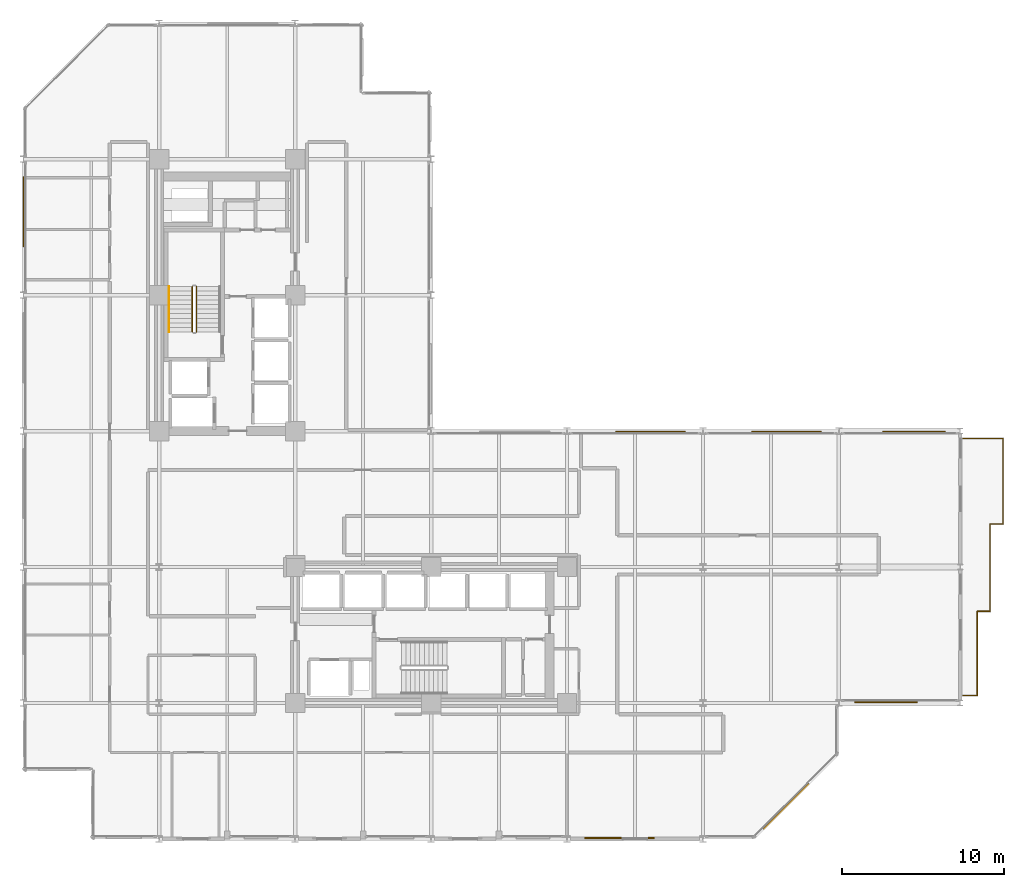
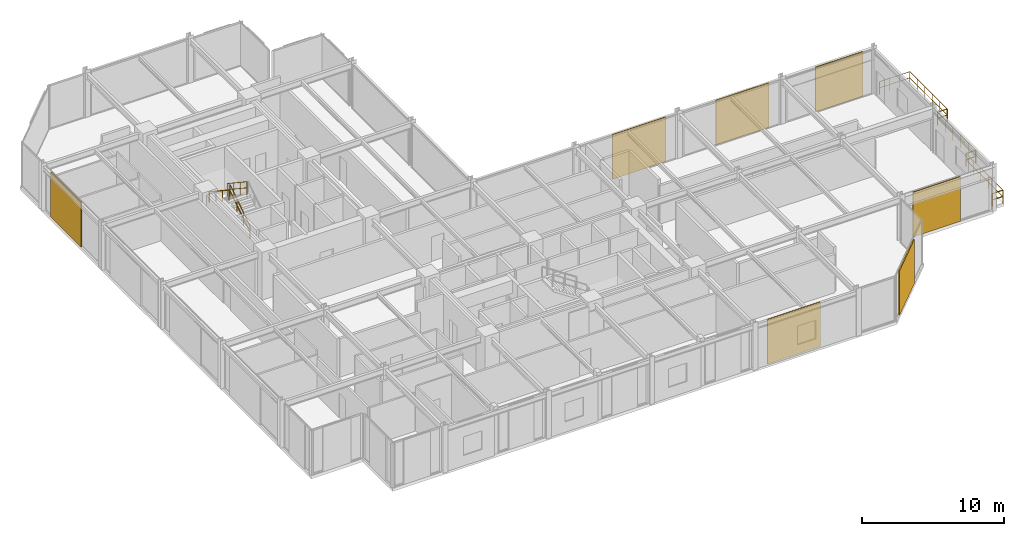
# One storey, part 37 of 38: 10 railings, 7 coverings.
"""IFC4 building model written with IfcOpenShell, lengths in metres."""

from ifc_helpers import new_model, si_unit, direction, frame, origin, origin_2d, place, context, subcontext, project, spatial, rectangle, circle, extrude, material, layer, layer_set, type_object, element, save


model = new_model("IFC4")

# Units and contexts
model_context = context("Model", 3, precision=1e-05, world=origin(), true_north=direction((0.0, 1.0)))
body_context = subcontext(model_context, "Body", "Model", "MODEL_VIEW")
ifc_project = project(units=[si_unit("LENGTHUNIT", "METRE"), si_unit("AREAUNIT", "SQUARE_METRE"), si_unit("VOLUMEUNIT", "CUBIC_METRE"), si_unit("PLANEANGLEUNIT", "RADIAN"), si_unit("MASSUNIT", "GRAM", prefix="KILO")], contexts=[model_context])

# Site, building, storey
site_placement = place(None, origin())
site = spatial("IfcSite", under=ifc_project, at=site_placement, CompositionType="ELEMENT")
building_placement = place(site_placement, origin())
building = spatial("IfcBuilding", under=site, at=building_placement, Name="Nerrivon Quay Data Exchange", CompositionType="ELEMENT")
storey_placement = place(building_placement, frame((0.0, 0.0, 96.699951171875)))
storey = spatial("IfcBuildingStorey", under=building, at=storey_placement, Name="L22", CompositionType="ELEMENT", Elevation=96.699951171875)

# Coverings
ifc_material_1 = material(Name="Architectural terracotta ceramic", Category="masonry")
ifc_layer = layer(ifc_material_1, 0.090087890625)
ifc_layer_set = layer_set([ifc_layer], Name="Architectural terracotta ceramic")
covering_type = type_object("IfcCoveringType", Name="COV-SCR-TERR", PredefinedType="CLADDING", material=ifc_layer_set)
covering_1_placement = place(storey_placement, frame((53.31494140625, 8.445068359375, 0.0), z_axis=(0.0, 0.0, 1.0), x_axis=(-1.0, 0.0, 0.0)))
element("IfcCovering", 1, at=covering_1_placement, inside=storey, type_object=covering_type, Name="L22 Perforated Terracotta SOLAR SCREEN Cassette", PredefinedType="CLADDING", context=body_context, shape_type="SweptSolid", body=[
    extrude(rectangle(XDim=3.85791015625, YDim=0.090087890625, at=origin_2d()), origin(), (0.0, 0.0, 1.0), 3.824951171875),
])
covering_2_placement = place(storey_placement, frame((47.144287109375, 2.0078125, 0.0), z_axis=(0.0, 0.0, 1.0), x_axis=(-0.707106781187, -0.707106781187, 0.0)))
element("IfcCovering", 2, at=covering_2_placement, inside=storey, type_object=covering_type, Name="L22 Perforated Terracotta SOLAR SCREEN Cassette", PredefinedType="CLADDING", context=body_context, shape_type="SweptSolid", body=[
    extrude(rectangle(XDim=3.970947265625, YDim=0.090087890625, at=origin_2d()), origin(), (0.0, 0.0, 1.0), 3.824951171875),
])
for number, where, z_axis, x_axis, name in (
    (3, (36.840087890625, 0.044921875, 0.0), (0.0, 0.0, 1.0), (-1.0, 0.0, 0.0), "L22 Perforated Terracotta SOLAR SCREEN Cassette"),
    (4, (0.044921875, 38.760009765625, 0.0), (0.0, 0.0, 1.0), (0.0, 1.0, 0.0), "L22 Perforated Terracotta SOLAR SCREEN Cassette"),
    (5, (38.760009765625, 25.155029296875, 0.0), (0.0, 0.0, 1.0), (1.0, 0.0, 0.0), "L22 Perforated Terracotta SOLAR SCREEN Cassette"),
    (6, (47.159912109375, 25.155029296875, 0.0), (0.0, 0.0, 1.0), (1.0, 0.0, 0.0), "L22 Perforated Terracotta SOLAR SCREEN Cassette"),
):
    element("IfcCovering", number, at=place(storey_placement, frame(where, z_axis=z_axis, x_axis=x_axis)), inside=storey, type_object=covering_type, Name=name, PredefinedType="CLADDING", context=body_context, shape_type="SweptSolid", body=[
        extrude(rectangle(XDim=4.320068359375, YDim=0.090087890625, at=origin_2d()), origin(), (0.0, 0.0, 1.0), 3.824951171875),
    ])
covering_3_placement = place(storey_placement, frame((55.029541015625, 25.155029296875, 0.0), z_axis=(0.0, 0.0, 1.0), x_axis=(1.0, 0.0, 0.0)))
element("IfcCovering", 7, at=covering_3_placement, inside=storey, type_object=covering_type, Name="L22 Perforated Terracotta SOLAR SCREEN Cassette", PredefinedType="CLADDING", context=body_context, shape_type="SweptSolid", body=[
    extrude(rectangle(XDim=3.85791015625, YDim=0.090087890625, at=origin_2d()), origin(), (0.0, 0.0, 1.0), 3.824951171875),
])

# Railings
ifc_material_2 = material(Name="Steel Grade C350L0 (350 MPa)", Category="steel")
railing_type_1 = type_object("IfcRailingType", Name="RAIL-GUARD-GR2", PredefinedType="BALUSTRADE", material=ifc_material_2)
railing_1_placement = place(storey_placement, frame((58.93994140625, 14.06005859375, 0.0)))
element("IfcRailing", 8, at=railing_1_placement, inside=storey, type_object=railing_type_1, Name="L22 Verandah Balcony Guard 1.1 1", PredefinedType="BALUSTRADE", context=body_context, shape_type="SweptSolid", body=[
    extrude(circle(Radius=0.02392578125, at=origin_2d()), frame((0.0, 0.0, 1.09619140625), z_axis=(0.0, -1.0, 0.0), x_axis=(1.0, 0.0, 0.0)), (0.0, 0.0, 1.0), 5.199951171875),
    extrude(circle(Radius=0.02392578125, at=origin_2d()), frame((0.0, 0.0, 0.56005859375), z_axis=(0.0, -1.0, 0.0), x_axis=(1.0, 0.0, 0.0)), (0.0, 0.0, 1.0), 5.199951171875),
    extrude(circle(Radius=0.02099609375, at=origin_2d()), origin(), (0.0, 0.0, 1.0), 1.072021484375),
    extrude(circle(Radius=0.02099609375, at=origin_2d()), frame((0.0, -1.0400390625, 0.0)), (0.0, 0.0, 1.0), 1.072021484375),
    extrude(circle(Radius=0.02099609375, at=origin_2d()), frame((0.0, -2.080078125, 0.0)), (0.0, 0.0, 1.0), 1.072021484375),
    extrude(circle(Radius=0.02099609375, at=origin_2d()), frame((0.0, -3.119873046875, 0.0)), (0.0, 0.0, 1.0), 1.072021484375),
    extrude(circle(Radius=0.02099609375, at=origin_2d()), frame((0.0, -4.159912109375, 0.0)), (0.0, 0.0, 1.0), 1.072021484375),
    extrude(circle(Radius=0.02099609375, at=origin_2d()), frame((0.0, -5.199951171875, 0.0)), (0.0, 0.0, 1.0), 1.072021484375),
])
railing_2_placement = place(storey_placement, frame((58.93994140625, 8.860107421875, 0.0)))
element("IfcRailing", 9, at=railing_2_placement, inside=storey, type_object=railing_type_1, Name="L22 Verandah Balcony Guard 1.2 1", PredefinedType="BALUSTRADE", context=body_context, shape_type="SweptSolid", body=[
    extrude(circle(Radius=0.02392578125, at=origin_2d()), frame((0.0, 0.0, 1.09619140625), z_axis=(-1.0, 0.0, 0.0), x_axis=(0.0, -1.0, 0.0)), (0.0, 0.0, 1.0), 0.85986328125),
    extrude(circle(Radius=0.02392578125, at=origin_2d()), frame((0.0, 0.0, 0.56005859375), z_axis=(-1.0, 0.0, 0.0), x_axis=(0.0, -1.0, 0.0)), (0.0, 0.0, 1.0), 0.85986328125),
    extrude(circle(Radius=0.02099609375, at=origin_2d()), origin(), (0.0, 0.0, 1.0), 1.072021484375),
    extrude(circle(Radius=0.02099609375, at=origin_2d()), frame((-0.85986328125, 0.0, 0.0)), (0.0, 0.0, 1.0), 1.072021484375),
])
railing_3_placement = place(storey_placement, frame((58.080078125, 24.739990234375, 0.0)))
element("IfcRailing", 10, at=railing_3_placement, inside=storey, type_object=railing_type_1, Name="L22 Verandah Balcony Guard 1.3 1", PredefinedType="BALUSTRADE", context=body_context, shape_type="SweptSolid", body=[
    extrude(circle(Radius=0.02392578125, at=origin_2d()), frame((0.0, 0.0, 1.09619140625), z_axis=(1.0, 0.0, 0.0), x_axis=(0.0, 1.0, 0.0)), (0.0, 0.0, 1.0), 2.4599609375),
    extrude(circle(Radius=0.02392578125, at=origin_2d()), frame((0.0, 0.0, 0.56005859375), z_axis=(1.0, 0.0, 0.0), x_axis=(0.0, 1.0, 0.0)), (0.0, 0.0, 1.0), 2.4599609375),
    extrude(circle(Radius=0.02099609375, at=origin_2d()), origin(), (0.0, 0.0, 1.0), 1.072021484375),
    extrude(circle(Radius=0.02099609375, at=origin_2d()), frame((0.820068359375, 0.0, 0.0)), (0.0, 0.0, 1.0), 1.072021484375),
    extrude(circle(Radius=0.02099609375, at=origin_2d()), frame((1.639892578125, 0.0, 0.0)), (0.0, 0.0, 1.0), 1.072021484375),
    extrude(circle(Radius=0.02099609375, at=origin_2d()), frame((2.4599609375, 0.0, 0.0)), (0.0, 0.0, 1.0), 1.072021484375),
])
railing_4_placement = place(storey_placement, frame((60.5400390625, 24.739990234375, 0.0)))
element("IfcRailing", 11, at=railing_4_placement, inside=storey, type_object=railing_type_1, Name="L22 Verandah Balcony Guard 1.4 1", PredefinedType="BALUSTRADE", context=body_context, shape_type="SweptSolid", body=[
    extrude(circle(Radius=0.02392578125, at=origin_2d()), frame((0.0, 0.0, 1.09619140625), z_axis=(0.0, -1.0, 0.0), x_axis=(1.0, 0.0, 0.0)), (0.0, 0.0, 1.0), 5.280029296875),
    extrude(circle(Radius=0.02392578125, at=origin_2d()), frame((0.0, 0.0, 0.56005859375), z_axis=(0.0, -1.0, 0.0), x_axis=(1.0, 0.0, 0.0)), (0.0, 0.0, 1.0), 5.280029296875),
    extrude(circle(Radius=0.02099609375, at=origin_2d()), origin(), (0.0, 0.0, 1.0), 1.072021484375),
    extrude(circle(Radius=0.02099609375, at=origin_2d()), frame((0.0, -1.055908203125, 0.0)), (0.0, 0.0, 1.0), 1.072021484375),
    extrude(circle(Radius=0.02099609375, at=origin_2d()), frame((0.0, -2.112060546875, 0.0)), (0.0, 0.0, 1.0), 1.072021484375),
    extrude(circle(Radius=0.02099609375, at=origin_2d()), frame((0.0, -3.16796875, 0.0)), (0.0, 0.0, 1.0), 1.072021484375),
    extrude(circle(Radius=0.02099609375, at=origin_2d()), frame((0.0, -4.22412109375, 0.0)), (0.0, 0.0, 1.0), 1.072021484375),
    extrude(circle(Radius=0.02099609375, at=origin_2d()), frame((0.0, -5.280029296875, 0.0)), (0.0, 0.0, 1.0), 1.072021484375),
])
railing_5_placement = place(storey_placement, frame((60.5400390625, 19.4599609375, 0.0)))
element("IfcRailing", 12, at=railing_5_placement, inside=storey, type_object=railing_type_1, Name="L22 Verandah Balcony Guard 1.5 1", PredefinedType="BALUSTRADE", context=body_context, shape_type="SweptSolid", body=[
    extrude(circle(Radius=0.02392578125, at=origin_2d()), frame((0.0, 0.0, 1.09619140625), z_axis=(-1.0, 0.0, 0.0), x_axis=(0.0, -1.0, 0.0)), (0.0, 0.0, 1.0), 0.800048828125),
    extrude(circle(Radius=0.02392578125, at=origin_2d()), frame((0.0, 0.0, 0.56005859375), z_axis=(-1.0, 0.0, 0.0), x_axis=(0.0, -1.0, 0.0)), (0.0, 0.0, 1.0), 0.800048828125),
    extrude(circle(Radius=0.02099609375, at=origin_2d()), origin(), (0.0, 0.0, 1.0), 1.072021484375),
    extrude(circle(Radius=0.02099609375, at=origin_2d()), frame((-0.800048828125, 0.0, 0.0)), (0.0, 0.0, 1.0), 1.072021484375),
])
railing_6_placement = place(storey_placement, frame((59.739990234375, 19.4599609375, 0.0)))
element("IfcRailing", 13, at=railing_6_placement, inside=storey, type_object=railing_type_1, Name="L22 Verandah Balcony Guard 1.6 1", PredefinedType="BALUSTRADE", context=body_context, shape_type="SweptSolid", body=[
    extrude(circle(Radius=0.02392578125, at=origin_2d()), frame((0.0, 0.0, 1.09619140625), z_axis=(0.0, -1.0, 0.0), x_axis=(1.0, 0.0, 0.0)), (0.0, 0.0, 1.0), 5.39990234375),
    extrude(circle(Radius=0.02392578125, at=origin_2d()), frame((0.0, 0.0, 0.56005859375), z_axis=(0.0, -1.0, 0.0), x_axis=(1.0, 0.0, 0.0)), (0.0, 0.0, 1.0), 5.39990234375),
    extrude(circle(Radius=0.02099609375, at=origin_2d()), origin(), (0.0, 0.0, 1.0), 1.072021484375),
    extrude(circle(Radius=0.02099609375, at=origin_2d()), frame((0.0, -1.080078125, 0.0)), (0.0, 0.0, 1.0), 1.072021484375),
    extrude(circle(Radius=0.02099609375, at=origin_2d()), frame((0.0, -2.159912109375, 0.0)), (0.0, 0.0, 1.0), 1.072021484375),
    extrude(circle(Radius=0.02099609375, at=origin_2d()), frame((0.0, -3.239990234375, 0.0)), (0.0, 0.0, 1.0), 1.072021484375),
    extrude(circle(Radius=0.02099609375, at=origin_2d()), frame((0.0, -4.31982421875, 0.0)), (0.0, 0.0, 1.0), 1.072021484375),
    extrude(circle(Radius=0.02099609375, at=origin_2d()), frame((0.0, -5.39990234375, 0.0)), (0.0, 0.0, 1.0), 1.072021484375),
])
railing_7_placement = place(storey_placement, frame((59.739990234375, 14.06005859375, 0.0)))
element("IfcRailing", 14, at=railing_7_placement, inside=storey, type_object=railing_type_1, Name="L22 Verandah Balcony Guard 1.7 1", PredefinedType="BALUSTRADE", context=body_context, shape_type="SweptSolid", body=[
    extrude(circle(Radius=0.02392578125, at=origin_2d()), frame((0.0, 0.0, 1.09619140625), z_axis=(-1.0, 0.0, 0.0), x_axis=(0.0, -1.0, 0.0)), (0.0, 0.0, 1.0), 0.800048828125),
    extrude(circle(Radius=0.02392578125, at=origin_2d()), frame((0.0, 0.0, 0.56005859375), z_axis=(-1.0, 0.0, 0.0), x_axis=(0.0, -1.0, 0.0)), (0.0, 0.0, 1.0), 0.800048828125),
    extrude(circle(Radius=0.02099609375, at=origin_2d()), origin(), (0.0, 0.0, 1.0), 1.072021484375),
    extrude(circle(Radius=0.02099609375, at=origin_2d()), frame((-0.800048828125, 0.0, 0.0)), (0.0, 0.0, 1.0), 1.072021484375),
])
railing_type_2 = type_object("IfcRailingType", Name="RAIL-HAND-HR1", PredefinedType="HANDRAIL", material=ifc_material_2)
railing_8_placement = place(storey_placement, frame((9.0, 34.1298828125, 2.236328125)))
element("IfcRailing", 15, at=railing_8_placement, inside=storey, type_object=railing_type_2, Name="L22 ST01 stair handrail 2", PredefinedType="HANDRAIL", context=body_context, shape_type="SweptSolid", body=[
    extrude(circle(Radius=0.02392578125, at=origin_2d()), frame((0.0, 0.0, 0.8759765625), z_axis=(0.0, -0.832429786209, 0.554130536094), x_axis=(1.0, 0.0, 0.0)), (0.0, 0.0, 1.0), 3.363525390625),
    extrude(circle(Radius=0.02099609375, at=origin_2d()), origin(), (0.0, 0.0, 1.0), 0.851806640625),
    extrude(circle(Radius=0.02099609375, at=origin_2d()), frame((0.0, -0.933349609375, 0.621337890625)), (0.0, 0.0, 1.0), 0.851806640625),
    extrude(circle(Radius=0.02099609375, at=origin_2d()), frame((0.0, -1.866455078125, 1.242431640625)), (0.0, 0.0, 1.0), 0.851806640625),
    extrude(circle(Radius=0.02099609375, at=origin_2d()), frame((0.0, -2.7998046875, 1.86376953125)), (0.0, 0.0, 1.0), 0.851806640625),
])
railing_type_3 = type_object("IfcRailingType", Name="RAIL-STAIR-GR1", PredefinedType="BALUSTRADE", material=ifc_material_2)
railing_9_placement = place(storey_placement, frame((10.699951171875, 31.330078125, 0.1865234375)))
element("IfcRailing", 16, at=railing_9_placement, inside=storey, type_object=railing_type_3, Name="L22 ST01 stair guard 1", PredefinedType="BALUSTRADE", context=body_context, shape_type="SweptSolid", body=[
    extrude(circle(Radius=0.02392578125, at=origin_2d()), frame((0.0, 0.0, 1.076171875), z_axis=(0.0, 0.832463268671, 0.554080234545), x_axis=(-1.0, 0.0, 0.0)), (0.0, 0.0, 1.0), 3.36328125),
    extrude(circle(Radius=0.02392578125, at=origin_2d()), frame((0.0, 0.0, 0.550048828125), z_axis=(0.0, 0.832463268671, 0.554080234545), x_axis=(-1.0, 0.0, 0.0)), (0.0, 0.0, 1.0), 3.36328125),
    extrude(circle(Radius=0.02099609375, at=origin_2d()), origin(), (0.0, 0.0, 1.0), 1.052001953125),
    extrude(circle(Radius=0.02099609375, at=origin_2d()), frame((0.0, 0.933349609375, 0.62109375)), (0.0, 0.0, 1.0), 1.052001953125),
    extrude(circle(Radius=0.02099609375, at=origin_2d()), frame((0.0, 1.866455078125, 1.242431640625)), (0.0, 0.0, 1.0), 1.052001953125),
    extrude(circle(Radius=0.02099609375, at=origin_2d()), frame((0.0, 2.7998046875, 1.863525390625)), (0.0, 0.0, 1.0), 1.052001953125),
])
railing_10_placement = place(storey_placement, frame((10.449951171875, 34.1298828125, 2.236328125)))
element("IfcRailing", 17, at=railing_10_placement, inside=storey, type_object=railing_type_3, Name="L22 ST01 stair guard 3", PredefinedType="BALUSTRADE", context=body_context, shape_type="SweptSolid", body=[
    extrude(circle(Radius=0.02392578125, at=origin_2d()), frame((0.0, 0.0, 1.076171875), z_axis=(0.0, -0.832429786209, 0.554130536094), x_axis=(1.0, 0.0, 0.0)), (0.0, 0.0, 1.0), 3.363525390625),
    extrude(circle(Radius=0.02392578125, at=origin_2d()), frame((0.0, 0.0, 0.550048828125), z_axis=(0.0, -0.832429786209, 0.554130536094), x_axis=(1.0, 0.0, 0.0)), (0.0, 0.0, 1.0), 3.363525390625),
    extrude(circle(Radius=0.02099609375, at=origin_2d()), origin(), (0.0, 0.0, 1.0), 1.052001953125),
    extrude(circle(Radius=0.02099609375, at=origin_2d()), frame((0.0, -0.933349609375, 0.621337890625)), (0.0, 0.0, 1.0), 1.052001953125),
    extrude(circle(Radius=0.02099609375, at=origin_2d()), frame((0.0, -1.866455078125, 1.242431640625)), (0.0, 0.0, 1.0), 1.052001953125),
    extrude(circle(Radius=0.02099609375, at=origin_2d()), frame((0.0, -2.7998046875, 1.86376953125)), (0.0, 0.0, 1.0), 1.052001953125),
])

save(model, "model.ifc")
